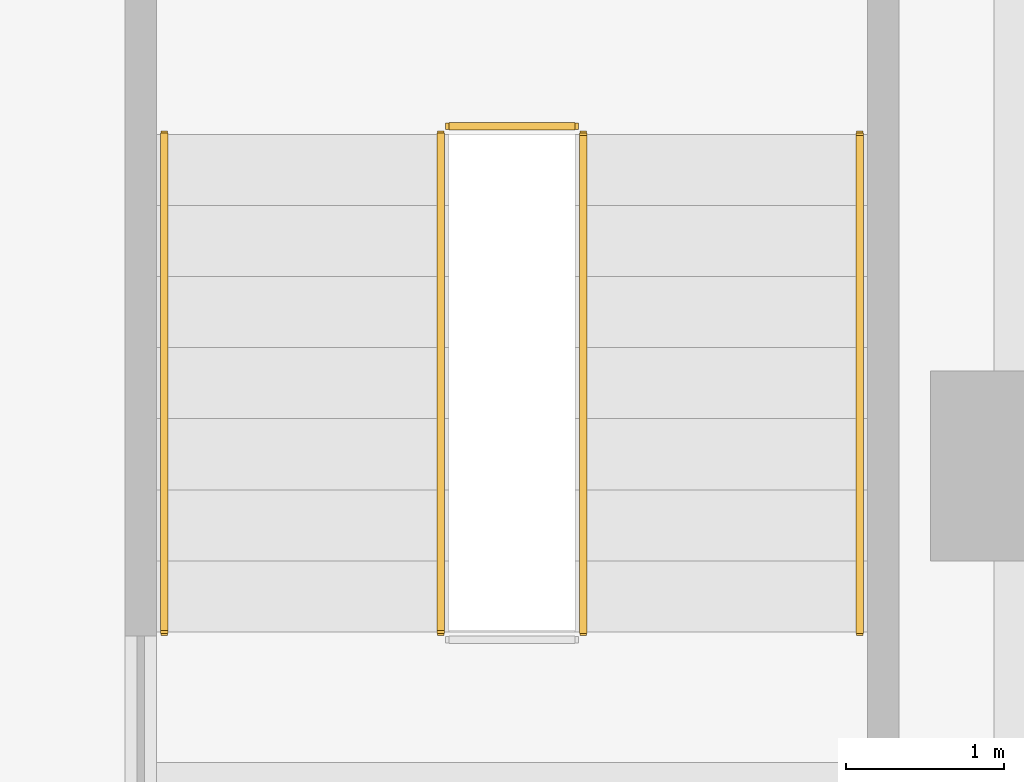
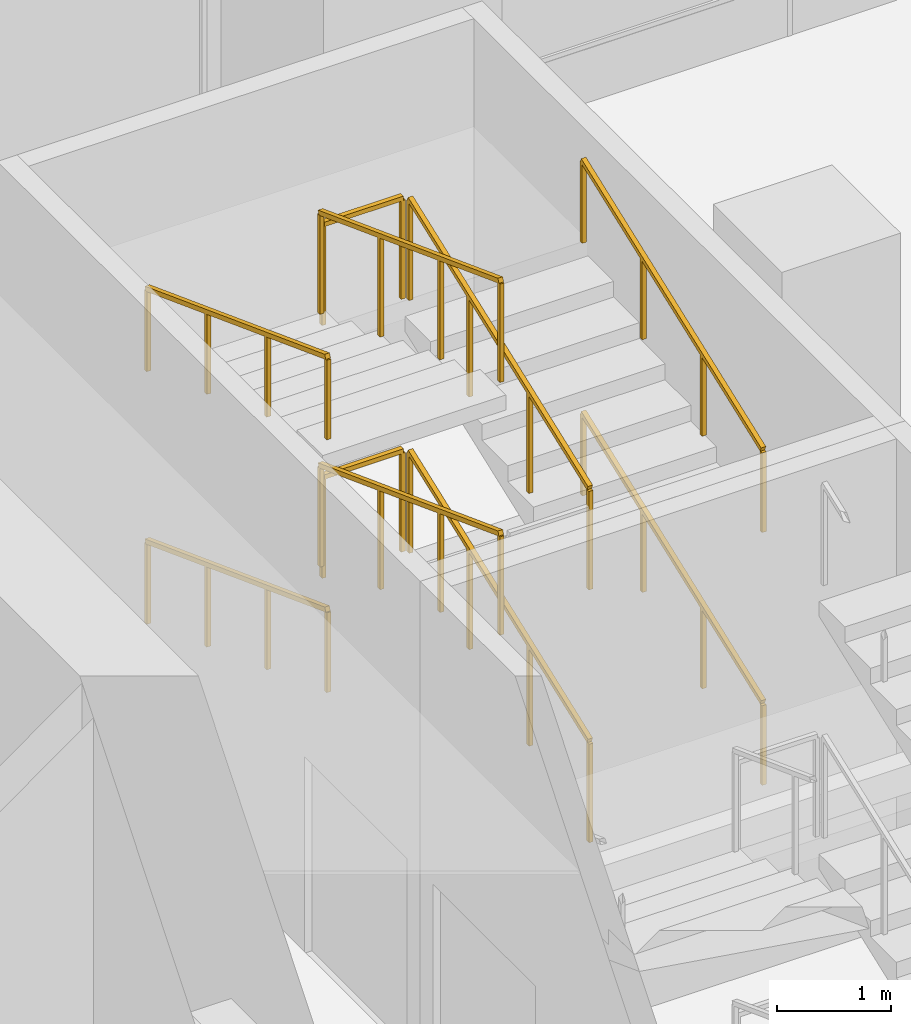
# One storey, part 26 of 26: 10 railings.
"""IFC4 building model written with IfcOpenShell, lengths in metres."""

from ifc_helpers import new_model, si_unit, direction, frame, origin, origin_2d, place, context, subcontext, project, spatial, rectangle, extrude, material, type_object, element, save


model = new_model("IFC4")

# Units and contexts
model_context = context("Model", 3, precision=1e-05, world=origin(), true_north=direction((0.0, 1.0)))
body_context = subcontext(model_context, "Body", "Model", "MODEL_VIEW")
ifc_project = project(units=[si_unit("LENGTHUNIT", "METRE"), si_unit("AREAUNIT", "SQUARE_METRE"), si_unit("VOLUMEUNIT", "CUBIC_METRE"), si_unit("PLANEANGLEUNIT", "RADIAN"), si_unit("MASSUNIT", "GRAM", prefix="KILO")], contexts=[model_context])

# Site, building, storey
site_placement = place(None, origin())
site = spatial("IfcSite", under=ifc_project, at=site_placement, CompositionType="ELEMENT")
building_placement = place(site_placement, origin())
building = spatial("IfcBuilding", under=site, at=building_placement, Name="Rattan Terrace Tower", CompositionType="ELEMENT")
storey_placement = place(building_placement, frame((0.0, 0.0, 7.199951171875)))
storey = spatial("IfcBuildingStorey", under=building, at=storey_placement, Name="L01", CompositionType="ELEMENT", Elevation=7.199951171875)

# Railings
ifc_material_1 = material(Name="Powder-coated steel guard", Category="steel")
railing_type_1 = type_object("IfcRailingType", Name="Core stair guard", PredefinedType="GUARDRAIL", material=ifc_material_1)
railing_1_placement = place(storey_placement, frame((23.300048828125, 2.050048828125, 0.168701171875)))
element("IfcRailing", 1, at=railing_1_placement, inside=storey, type_object=railing_type_1, Name="L01 S7 stair guard 1", PredefinedType="GUARDRAIL", context=body_context, shape_type="SweptSolid", body=[
    extrude(rectangle(XDim=0.048095703125, YDim=0.048095703125, at=origin_2d()), frame((0.0, 0.0, 1.076171875), z_axis=(0.0, 0.936311282129, 0.351171159062), x_axis=(-1.0, 0.0, 0.0)), (0.0, 0.0, 1.0), 3.3642578125),
    extrude(rectangle(XDim=0.0419921875, YDim=0.0419921875, at=origin_2d()), origin(), (0.0, 0.0, 1.0), 1.052001953125),
    extrude(rectangle(XDim=0.0419921875, YDim=0.0419921875, at=origin_2d()), frame((0.0, 1.050048828125, 0.393798828125)), (0.0, 0.0, 1.0), 1.052001953125),
    extrude(rectangle(XDim=0.0419921875, YDim=0.0419921875, at=origin_2d()), frame((0.0, 2.099853515625, 0.78759765625)), (0.0, 0.0, 1.0), 1.052001953125),
    extrude(rectangle(XDim=0.0419921875, YDim=0.0419921875, at=origin_2d()), frame((0.0, 3.14990234375, 1.181396484375)), (0.0, 0.0, 1.0), 1.052001953125),
])
railing_2_placement = place(storey_placement, frame((23.25, 5.25, 1.35009765625)))
element("IfcRailing", 2, at=railing_2_placement, inside=storey, type_object=railing_type_1, Name="L01 S7 stair guard 2", PredefinedType="GUARDRAIL", context=body_context, shape_type="SweptSolid", body=[
    extrude(rectangle(XDim=0.048095703125, YDim=0.048095703125, at=origin_2d()), frame((0.0, 0.0, 1.076171875), z_axis=(-1.0, 0.0, 0.0), x_axis=(0.0, -1.0, 0.0)), (0.0, 0.0, 1.0), 0.800048828125),
    extrude(rectangle(XDim=0.0419921875, YDim=0.0419921875, at=origin_2d()), origin(), (0.0, 0.0, 1.0), 1.052001953125),
    extrude(rectangle(XDim=0.0419921875, YDim=0.0419921875, at=origin_2d()), frame((-0.800048828125, 0.0, 0.0)), (0.0, 0.0, 1.0), 1.052001953125),
])
railing_3_placement = place(storey_placement, frame((22.39990234375, 5.199951171875, 1.518798828125)))
element("IfcRailing", 3, at=railing_3_placement, inside=storey, type_object=railing_type_1, Name="L01 S7 stair guard 3", PredefinedType="GUARDRAIL", context=body_context, shape_type="SweptSolid", body=[
    extrude(rectangle(XDim=0.048095703125, YDim=0.048095703125, at=origin_2d()), frame((0.0, 0.0, 1.076171875), z_axis=(0.0, -0.936335142327, 0.351107535156), x_axis=(1.0, 0.0, 0.0)), (0.0, 0.0, 1.0), 3.364013671875),
    extrude(rectangle(XDim=0.0419921875, YDim=0.0419921875, at=origin_2d()), origin(), (0.0, 0.0, 1.0), 1.052001953125),
    extrude(rectangle(XDim=0.0419921875, YDim=0.0419921875, at=origin_2d()), frame((0.0, -1.050048828125, 0.393798828125)), (0.0, 0.0, 1.0), 1.052001953125),
    extrude(rectangle(XDim=0.0419921875, YDim=0.0419921875, at=origin_2d()), frame((0.0, -2.099853515625, 0.787353515625)), (0.0, 0.0, 1.0), 1.052001953125),
    extrude(rectangle(XDim=0.0419921875, YDim=0.0419921875, at=origin_2d()), frame((0.0, -3.14990234375, 1.18115234375)), (0.0, 0.0, 1.0), 1.052001953125),
])
railing_4_placement = place(storey_placement, frame((23.300048828125, 2.050048828125, 2.868896484375)))
element("IfcRailing", 4, at=railing_4_placement, inside=storey, type_object=railing_type_1, Name="L01 S7 stair guard 5", PredefinedType="GUARDRAIL", context=body_context, shape_type="SweptSolid", body=[
    extrude(rectangle(XDim=0.048095703125, YDim=0.048095703125, at=origin_2d()), frame((0.0, 0.0, 1.076171875), z_axis=(0.0, 0.936335142327, 0.351107535156), x_axis=(-1.0, 0.0, 0.0)), (0.0, 0.0, 1.0), 3.364013671875),
    extrude(rectangle(XDim=0.0419921875, YDim=0.0419921875, at=origin_2d()), origin(), (0.0, 0.0, 1.0), 1.052001953125),
    extrude(rectangle(XDim=0.0419921875, YDim=0.0419921875, at=origin_2d()), frame((0.0, 1.050048828125, 0.393798828125)), (0.0, 0.0, 1.0), 1.052001953125),
    extrude(rectangle(XDim=0.0419921875, YDim=0.0419921875, at=origin_2d()), frame((0.0, 2.099853515625, 0.787353515625)), (0.0, 0.0, 1.0), 1.052001953125),
    extrude(rectangle(XDim=0.0419921875, YDim=0.0419921875, at=origin_2d()), frame((0.0, 3.14990234375, 1.18115234375)), (0.0, 0.0, 1.0), 1.052001953125),
])
railing_5_placement = place(storey_placement, frame((23.25, 5.25, 4.050048828125)))
element("IfcRailing", 5, at=railing_5_placement, inside=storey, type_object=railing_type_1, Name="L01 S7 stair guard 6", PredefinedType="GUARDRAIL", context=body_context, shape_type="SweptSolid", body=[
    extrude(rectangle(XDim=0.048095703125, YDim=0.048095703125, at=origin_2d()), frame((0.0, 0.0, 1.076171875), z_axis=(-1.0, 0.0, 0.0), x_axis=(0.0, -1.0, 0.0)), (0.0, 0.0, 1.0), 0.800048828125),
    extrude(rectangle(XDim=0.0419921875, YDim=0.0419921875, at=origin_2d()), origin(), (0.0, 0.0, 1.0), 1.052001953125),
    extrude(rectangle(XDim=0.0419921875, YDim=0.0419921875, at=origin_2d()), frame((-0.800048828125, 0.0, 0.0)), (0.0, 0.0, 1.0), 1.052001953125),
])
railing_6_placement = place(storey_placement, frame((22.39990234375, 5.199951171875, 4.21875)))
element("IfcRailing", 6, at=railing_6_placement, inside=storey, type_object=railing_type_1, Name="L01 S7 stair guard 7", PredefinedType="GUARDRAIL", context=body_context, shape_type="SweptSolid", body=[
    extrude(rectangle(XDim=0.048095703125, YDim=0.048095703125, at=origin_2d()), frame((0.0, 0.0, 1.076171875), z_axis=(0.0, -0.936311282129, 0.351171159062), x_axis=(1.0, 0.0, 0.0)), (0.0, 0.0, 1.0), 3.3642578125),
    extrude(rectangle(XDim=0.0419921875, YDim=0.0419921875, at=origin_2d()), origin(), (0.0, 0.0, 1.0), 1.052001953125),
    extrude(rectangle(XDim=0.0419921875, YDim=0.0419921875, at=origin_2d()), frame((0.0, -1.050048828125, 0.393798828125)), (0.0, 0.0, 1.0), 1.052001953125),
    extrude(rectangle(XDim=0.0419921875, YDim=0.0419921875, at=origin_2d()), frame((0.0, -2.099853515625, 0.78759765625)), (0.0, 0.0, 1.0), 1.052001953125),
    extrude(rectangle(XDim=0.0419921875, YDim=0.0419921875, at=origin_2d()), frame((0.0, -3.14990234375, 1.181396484375)), (0.0, 0.0, 1.0), 1.052001953125),
])
ifc_material_2 = material(Name="Powder-coated steel handrail", Category="steel")
railing_type_2 = type_object("IfcRailingType", Name="Core stair handrail", PredefinedType="HANDRAIL", material=ifc_material_2)
railing_7_placement = place(storey_placement, frame((25.050048828125, 2.050048828125, 0.168701171875)))
element("IfcRailing", 7, at=railing_7_placement, inside=storey, type_object=railing_type_2, Name="L01 S7 stair handrail 1", PredefinedType="HANDRAIL", context=body_context, shape_type="SweptSolid", body=[
    extrude(rectangle(XDim=0.048095703125, YDim=0.048095703125, at=origin_2d()), frame((0.0, 0.0, 0.8759765625), z_axis=(0.0, 0.936311282129, 0.351171159062), x_axis=(-1.0, 0.0, 0.0)), (0.0, 0.0, 1.0), 3.3642578125),
    extrude(rectangle(XDim=0.0419921875, YDim=0.0419921875, at=origin_2d()), origin(), (0.0, 0.0, 1.0), 0.851806640625),
    extrude(rectangle(XDim=0.0419921875, YDim=0.0419921875, at=origin_2d()), frame((0.0, 1.050048828125, 0.393798828125)), (0.0, 0.0, 1.0), 0.851806640625),
    extrude(rectangle(XDim=0.0419921875, YDim=0.0419921875, at=origin_2d()), frame((0.0, 2.099853515625, 0.78759765625)), (0.0, 0.0, 1.0), 0.851806640625),
    extrude(rectangle(XDim=0.0419921875, YDim=0.0419921875, at=origin_2d()), frame((0.0, 3.14990234375, 1.181396484375)), (0.0, 0.0, 1.0), 0.851806640625),
])
railing_8_placement = place(storey_placement, frame((20.64990234375, 5.199951171875, 1.518798828125)))
element("IfcRailing", 8, at=railing_8_placement, inside=storey, type_object=railing_type_2, Name="L01 S7 stair handrail 2", PredefinedType="HANDRAIL", context=body_context, shape_type="SweptSolid", body=[
    extrude(rectangle(XDim=0.048095703125, YDim=0.048095703125, at=origin_2d()), frame((0.0, 0.0, 0.8759765625), z_axis=(0.0, -0.936335142327, 0.351107535156), x_axis=(1.0, 0.0, 0.0)), (0.0, 0.0, 1.0), 3.364013671875),
    extrude(rectangle(XDim=0.0419921875, YDim=0.0419921875, at=origin_2d()), origin(), (0.0, 0.0, 1.0), 0.851806640625),
    extrude(rectangle(XDim=0.0419921875, YDim=0.0419921875, at=origin_2d()), frame((0.0, -1.050048828125, 0.393798828125)), (0.0, 0.0, 1.0), 0.851806640625),
    extrude(rectangle(XDim=0.0419921875, YDim=0.0419921875, at=origin_2d()), frame((0.0, -2.099853515625, 0.787353515625)), (0.0, 0.0, 1.0), 0.851806640625),
    extrude(rectangle(XDim=0.0419921875, YDim=0.0419921875, at=origin_2d()), frame((0.0, -3.14990234375, 1.18115234375)), (0.0, 0.0, 1.0), 0.851806640625),
])
railing_9_placement = place(storey_placement, frame((25.050048828125, 2.050048828125, 2.868896484375)))
element("IfcRailing", 9, at=railing_9_placement, inside=storey, type_object=railing_type_2, Name="L01 S7 stair handrail 3", PredefinedType="HANDRAIL", context=body_context, shape_type="SweptSolid", body=[
    extrude(rectangle(XDim=0.048095703125, YDim=0.048095703125, at=origin_2d()), frame((0.0, 0.0, 0.8759765625), z_axis=(0.0, 0.936335142327, 0.351107535156), x_axis=(-1.0, 0.0, 0.0)), (0.0, 0.0, 1.0), 3.364013671875),
    extrude(rectangle(XDim=0.0419921875, YDim=0.0419921875, at=origin_2d()), origin(), (0.0, 0.0, 1.0), 0.851806640625),
    extrude(rectangle(XDim=0.0419921875, YDim=0.0419921875, at=origin_2d()), frame((0.0, 1.050048828125, 0.393798828125)), (0.0, 0.0, 1.0), 0.851806640625),
    extrude(rectangle(XDim=0.0419921875, YDim=0.0419921875, at=origin_2d()), frame((0.0, 2.099853515625, 0.787353515625)), (0.0, 0.0, 1.0), 0.851806640625),
    extrude(rectangle(XDim=0.0419921875, YDim=0.0419921875, at=origin_2d()), frame((0.0, 3.14990234375, 1.18115234375)), (0.0, 0.0, 1.0), 0.851806640625),
])
railing_10_placement = place(storey_placement, frame((20.64990234375, 5.199951171875, 4.21875)))
element("IfcRailing", 10, at=railing_10_placement, inside=storey, type_object=railing_type_2, Name="L01 S7 stair handrail 4", PredefinedType="HANDRAIL", context=body_context, shape_type="SweptSolid", body=[
    extrude(rectangle(XDim=0.048095703125, YDim=0.048095703125, at=origin_2d()), frame((0.0, 0.0, 0.8759765625), z_axis=(0.0, -0.936311282129, 0.351171159062), x_axis=(1.0, 0.0, 0.0)), (0.0, 0.0, 1.0), 3.3642578125),
    extrude(rectangle(XDim=0.0419921875, YDim=0.0419921875, at=origin_2d()), origin(), (0.0, 0.0, 1.0), 0.851806640625),
    extrude(rectangle(XDim=0.0419921875, YDim=0.0419921875, at=origin_2d()), frame((0.0, -1.050048828125, 0.393798828125)), (0.0, 0.0, 1.0), 0.851806640625),
    extrude(rectangle(XDim=0.0419921875, YDim=0.0419921875, at=origin_2d()), frame((0.0, -2.099853515625, 0.78759765625)), (0.0, 0.0, 1.0), 0.851806640625),
    extrude(rectangle(XDim=0.0419921875, YDim=0.0419921875, at=origin_2d()), frame((0.0, -3.14990234375, 1.181396484375)), (0.0, 0.0, 1.0), 0.851806640625),
])

save(model, "model.ifc")
